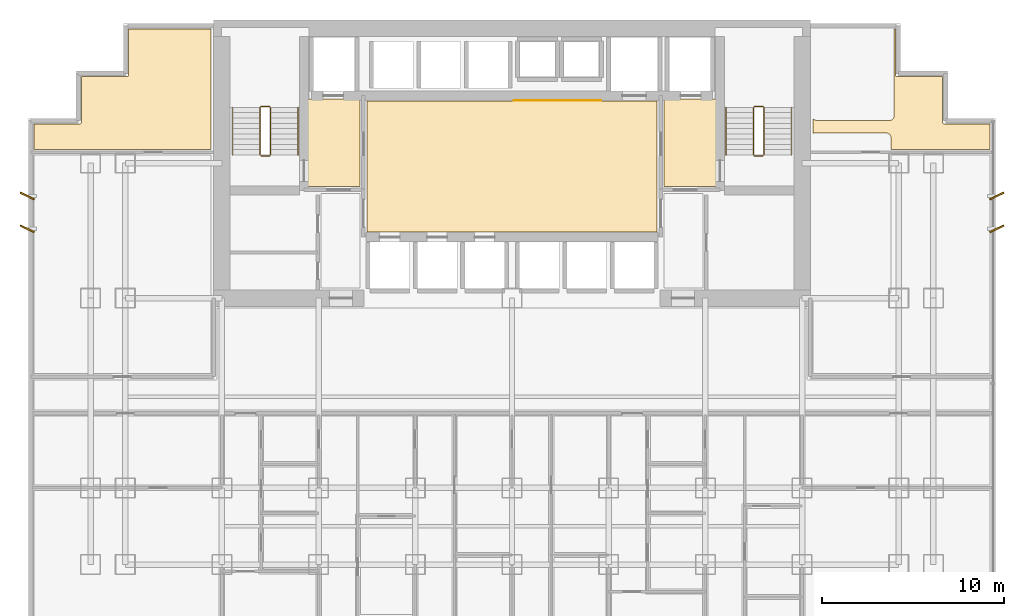
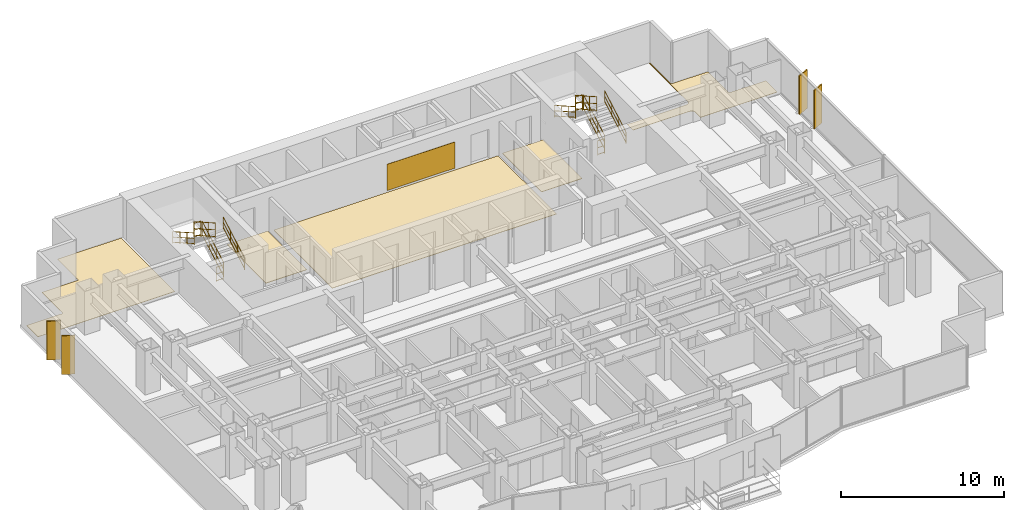
# One storey, part 12 of 12: 12 railings, 6 coverings, 4 shading devices.
"""IFC4 building model written with IfcOpenShell, lengths in metres."""

from ifc_helpers import new_model, si_unit, direction, frame, origin, origin_2d, place, context, subcontext, project, spatial, polyline, rectangle, circle, outline, extrude, source, transform, mapped, material, layer, layer_set, type_object, element, save


model = new_model("IFC4")

# Units and contexts
model_context = context("Model", 3, precision=1e-05, world=origin(), true_north=direction((0.0, 1.0)))
body_context = subcontext(model_context, "Body", "Model", "MODEL_VIEW")
ifc_project = project(units=[si_unit("LENGTHUNIT", "METRE"), si_unit("AREAUNIT", "SQUARE_METRE"), si_unit("VOLUMEUNIT", "CUBIC_METRE"), si_unit("PLANEANGLEUNIT", "RADIAN"), si_unit("MASSUNIT", "GRAM", prefix="KILO")], contexts=[model_context])

# Site, building, storey
site_placement = place(None, origin())
site = spatial("IfcSite", under=ifc_project, at=site_placement, CompositionType="ELEMENT")
building_placement = place(site_placement, origin())
building = spatial("IfcBuilding", under=site, at=building_placement, Name="Qianlan Lanfeng Residences", CompositionType="ELEMENT")
storey_placement = place(building_placement, frame((0.0, 0.0, 67.10009765625)))
storey = spatial("IfcBuildingStorey", under=building, at=storey_placement, Name="L18", CompositionType="ELEMENT", Elevation=67.10009765625)

# Coverings
ifc_material_1 = material(Name="Anodised Bronze Feature Wall Cladding")
ifc_layer_1 = layer(ifc_material_1, 0.02490234375)
ifc_layer_set_1 = layer_set([ifc_layer_1], Name="Anodised Bronze Feature Wall Cladding")
covering_type_1 = type_object("IfcCoveringType", Name="CLD-BRZ-25", PredefinedType="CLADDING", material=ifc_layer_set_1)
covering_1_placement = place(storey_placement, frame((0.0, 0.0, 0.14990234375)))
element("IfcCovering", 1, at=covering_1_placement, inside=storey, type_object=covering_type_1, Name="L18 Lift Lobby Bronze Feature Cladding", PredefinedType="CLADDING", context=body_context, shape_type="SweptSolid", body=[
    extrude(outline(polyline([(26.60009765625, 36.02490234375), (31.39990234375, 36.02490234375), (31.39990234375, 36.050048828125), (26.60009765625, 36.050048828125), (26.60009765625, 36.02490234375)])), origin(), (0.0, 0.0, 1.0), 1.969970703125),
])
ifc_material_2 = material(Name="Honed Taitung Granite Stone Flooring", Category="masonry")
ifc_layer_2 = layer(ifc_material_2, 0.030029296875)
ifc_layer_set_2 = layer_set([ifc_layer_2], Name="Honed Taitung Granite Stone Flooring")
covering_type_2 = type_object("IfcCoveringType", Name="FLR-STN-30", PredefinedType="FLOORING", material=ifc_layer_set_2)
covering_2_placement = place(storey_placement, origin())
element("IfcCovering", 2, at=covering_2_placement, inside=storey, type_object=covering_type_2, Name="L18 Firefighting Lift Lobby Floor Finish", PredefinedType="FLOORING", context=body_context, shape_type="SweptSolid", body=[
    extrude(outline(polyline([(15.2900390625, 31.320068359375), (18.179931640625, 31.320068359375), (18.179931640625, 36.110107421875), (15.2900390625, 36.110107421875), (15.2900390625, 31.320068359375)])), origin(), (0.0, 0.0, 1.0), 0.02978515625),
])
covering_3_placement = place(storey_placement, origin())
element("IfcCovering", 3, at=covering_3_placement, inside=storey, type_object=covering_type_2, Name="L18 Firefighting Lift Lobby Floor Finish", PredefinedType="FLOORING", context=body_context, shape_type="SweptSolid", body=[
    extrude(outline(polyline([(34.820068359375, 31.320068359375), (37.7099609375, 31.320068359375), (37.7099609375, 36.110107421875), (34.820068359375, 36.110107421875), (34.820068359375, 31.320068359375)])), origin(), (0.0, 0.0, 1.0), 0.02978515625),
])
covering_4_placement = place(storey_placement, origin())
element("IfcCovering", 4, at=covering_4_placement, inside=storey, type_object=covering_type_2, Name="L18 Lift Lobby Floor Finish", PredefinedType="FLOORING", context=body_context, shape_type="SweptSolid", body=[
    extrude(outline(polyline([(18.550048828125, 28.820068359375), (34.449951171875, 28.820068359375), (34.449951171875, 36.010009765625), (18.550048828125, 36.010009765625), (18.550048828125, 28.820068359375)])), origin(), (0.0, 0.0, 1.0), 0.02978515625),
])
ifc_material_3 = material(Name="Engineered Smoked Oak Timber Flooring", Category="wood")
ifc_layer_3 = layer(ifc_material_3, 0.02197265625)
ifc_layer_set_3 = layer_set([ifc_layer_3], Name="Engineered Smoked Oak Timber Flooring")
covering_type_3 = type_object("IfcCoveringType", Name="FLR-TIM-22", PredefinedType="FLOORING", material=ifc_layer_set_3)
covering_5_placement = place(storey_placement, origin())
element("IfcCovering", 5, at=covering_5_placement, inside=storey, type_object=covering_type_3, Name="L18 Resident Lounge Floor Finish", PredefinedType="FLOORING", context=body_context, shape_type="SweptSolid", body=[
    extrude(outline(polyline([(0.2900390625, 33.35009765625), (10.0, 33.35009765625), (10.0, 39.9599609375), (5.489990234375, 39.9599609375), (5.489990234375, 37.429931640625), (5.489990234375, 37.423095703125), (5.489013671875, 37.416015625), (5.487060546875, 37.409912109375), (5.485107421875, 37.403076171875), (5.48193359375, 37.39697265625), (5.47802734375, 37.39111328125), (5.47412109375, 37.385986328125), (5.468994140625, 37.381103515625), (5.464111328125, 37.3759765625), (5.458984375, 37.3720703125), (5.452880859375, 37.367919921875), (5.447021484375, 37.364990234375), (5.43994140625, 37.363037109375), (5.43408203125, 37.361083984375), (5.427001953125, 37.360107421875), (5.419921875, 37.360107421875), (2.889892578125, 37.360107421875), (2.889892578125, 34.830078125), (2.889892578125, 34.822998046875), (2.888916015625, 34.81591796875), (2.886962890625, 34.81005859375), (2.885009765625, 34.802978515625), (2.882080078125, 34.797119140625), (2.8779296875, 34.791015625), (2.8740234375, 34.785888671875), (2.868896484375, 34.781005859375), (2.864013671875, 34.77587890625), (2.85888671875, 34.77197265625), (2.85302734375, 34.76806640625), (2.846923828125, 34.764892578125), (2.840087890625, 34.762939453125), (2.833984375, 34.760986328125), (2.826904296875, 34.760009765625), (2.820068359375, 34.760009765625), (0.2900390625, 34.760009765625), (0.2900390625, 33.35009765625)])), origin(), (0.0, 0.0, 1.0), 0.02197265625),
])
covering_6_placement = place(storey_placement, origin())
element("IfcCovering", 6, at=covering_6_placement, inside=storey, type_object=covering_type_3, Name="L18 Resident Lounge Floor Finish", PredefinedType="FLOORING", context=body_context, shape_type="SweptSolid", body=[
    extrude(outline(polyline([(43.0, 34.237060546875), (43.007080078125, 34.239013671875), (43.031005859375, 34.2451171875), (43.054931640625, 34.2490234375), (43.080078125, 34.25), (47.02001953125, 34.25), (47.044921875, 34.2490234375), (47.069091796875, 34.2451171875), (47.093017578125, 34.239013671875), (47.115966796875, 34.23095703125), (47.137939453125, 34.219970703125), (47.158935546875, 34.2080078125), (47.178955078125, 34.193115234375), (47.197021484375, 34.177001953125), (47.212890625, 34.158935546875), (47.22802734375, 34.138916015625), (47.239990234375, 34.117919921875), (47.2509765625, 34.095947265625), (47.259033203125, 34.072998046875), (47.264892578125, 34.049072265625), (47.26904296875, 34.02490234375), (47.27001953125, 34.0), (47.27001953125, 33.35009765625), (52.7099609375, 33.35009765625), (52.7099609375, 34.760009765625), (50.179931640625, 34.760009765625), (50.173095703125, 34.760009765625), (50.166015625, 34.760986328125), (50.159912109375, 34.762939453125), (50.153076171875, 34.764892578125), (50.14697265625, 34.76806640625), (50.14111328125, 34.77197265625), (50.135986328125, 34.77587890625), (50.131103515625, 34.781005859375), (50.1259765625, 34.785888671875), (50.1220703125, 34.791015625), (50.117919921875, 34.797119140625), (50.114990234375, 34.802978515625), (50.113037109375, 34.81005859375), (50.111083984375, 34.81591796875), (50.110107421875, 34.822998046875), (50.110107421875, 34.830078125), (50.110107421875, 37.360107421875), (47.580078125, 37.360107421875), (47.572998046875, 37.360107421875), (47.56591796875, 37.361083984375), (47.56005859375, 37.363037109375), (47.552978515625, 37.364990234375), (47.547119140625, 37.367919921875), (47.541015625, 37.3720703125), (47.535888671875, 37.3759765625), (47.531005859375, 37.381103515625), (47.52587890625, 37.385986328125), (47.52197265625, 37.39111328125), (47.51806640625, 37.39697265625), (47.514892578125, 37.403076171875), (47.512939453125, 37.409912109375), (47.510986328125, 37.416015625), (47.510009765625, 37.423095703125), (47.510009765625, 37.429931640625), (47.510009765625, 39.9599609375), (47.449951171875, 39.9599609375), (47.449951171875, 35.199951171875), (47.448974609375, 35.175048828125), (47.445068359375, 35.15087890625), (47.43896484375, 35.126953125), (47.430908203125, 35.10400390625), (47.419921875, 35.08203125), (47.407958984375, 35.06103515625), (47.39306640625, 35.041015625), (47.376953125, 35.02294921875), (47.35888671875, 35.007080078125), (47.339111328125, 34.991943359375), (47.318115234375, 34.97998046875), (47.2958984375, 34.968994140625), (47.27294921875, 34.9609375), (47.2490234375, 34.955078125), (47.22509765625, 34.950927734375), (47.199951171875, 34.949951171875), (43.199951171875, 34.949951171875), (43.175048828125, 34.950927734375), (43.15087890625, 34.955078125), (43.126953125, 34.9609375), (43.10400390625, 34.968994140625), (43.08203125, 34.97998046875), (43.06103515625, 34.991943359375), (43.041015625, 35.007080078125), (43.02294921875, 35.02294921875), (43.007080078125, 35.041015625), (43.0, 35.050048828125), (43.0, 34.237060546875)])), origin(), (0.0, 0.0, 1.0), 0.02197265625),
])

# Railings
ifc_material_4 = material(Name="Painted Galvanised Steel Guardrail", Category="steel")
railing_type_1 = type_object("IfcRailingType", Name="GR-ST-1120", PredefinedType="GUARDRAIL", material=ifc_material_4)
railing_1_placement = place(storey_placement, frame((13.27001953125, 33.050048828125, 0.164794921875)))
element("IfcRailing", 7, at=railing_1_placement, inside=storey, type_object=railing_type_1, Name="L18 ST-1 stair guard 1", PredefinedType="GUARDRAIL", context=body_context, shape_type="SweptSolid", body=[
    extrude(circle(Radius=0.02392578125, at=origin_2d()), frame((0.0, 0.0, 0.083984375), z_axis=(0.0, 0.869137319866, 0.494570843475), x_axis=(-1.0, 0.0, 0.0)), (0.0, 0.0, 1.0), 3.0029296875),
    extrude(circle(Radius=0.02392578125, at=origin_2d()), frame((0.0, 0.0, 0.58251953125), z_axis=(0.0, 0.869137319866, 0.494570843475), x_axis=(-1.0, 0.0, 0.0)), (0.0, 0.0, 1.0), 3.0029296875),
    extrude(circle(Radius=0.02392578125, at=origin_2d()), frame((0.0, 0.0, 1.09619140625), z_axis=(0.0, 0.869137319866, 0.494570843475), x_axis=(-1.0, 0.0, 0.0)), (0.0, 0.0, 1.0), 3.0029296875),
    extrude(circle(Radius=0.02099609375, at=origin_2d()), origin(), (0.0, 0.0, 1.0), 1.072021484375),
    extrude(circle(Radius=0.02099609375, at=origin_2d()), frame((0.0, 0.869873046875, 0.4951171875)), (0.0, 0.0, 1.0), 1.072021484375),
    extrude(circle(Radius=0.02099609375, at=origin_2d()), frame((0.0, 1.739990234375, 0.989990234375)), (0.0, 0.0, 1.0), 1.072021484375),
    extrude(circle(Radius=0.02099609375, at=origin_2d()), frame((0.0, 2.60986328125, 1.485107421875)), (0.0, 0.0, 1.0), 1.072021484375),
])
railing_2_placement = place(storey_placement, frame((13.219970703125, 35.7099609375, 1.64990234375)))
element("IfcRailing", 8, at=railing_2_placement, inside=storey, type_object=railing_type_1, Name="L18 ST-1 stair guard 2", PredefinedType="GUARDRAIL", context=body_context, shape_type="SweptSolid", body=[
    extrude(circle(Radius=0.02392578125, at=origin_2d()), frame((0.0, 0.0, 0.083984375), z_axis=(-1.0, 0.0, 0.0), x_axis=(0.0, -1.0, 0.0)), (0.0, 0.0, 1.0), 0.47998046875),
    extrude(circle(Radius=0.02392578125, at=origin_2d()), frame((0.0, 0.0, 0.58251953125), z_axis=(-1.0, 0.0, 0.0), x_axis=(0.0, -1.0, 0.0)), (0.0, 0.0, 1.0), 0.47998046875),
    extrude(circle(Radius=0.02392578125, at=origin_2d()), frame((0.0, 0.0, 1.09619140625), z_axis=(-1.0, 0.0, 0.0), x_axis=(0.0, -1.0, 0.0)), (0.0, 0.0, 1.0), 0.47998046875),
    extrude(circle(Radius=0.02099609375, at=origin_2d()), origin(), (0.0, 0.0, 1.0), 1.072021484375),
    extrude(circle(Radius=0.02099609375, at=origin_2d()), frame((-0.47998046875, 0.0, 0.0)), (0.0, 0.0, 1.0), 1.072021484375),
])
railing_3_placement = place(storey_placement, frame((12.68994140625, 35.659912109375, 1.81494140625)))
element("IfcRailing", 9, at=railing_3_placement, inside=storey, type_object=railing_type_1, Name="L18 ST-1 stair guard 3", PredefinedType="GUARDRAIL", context=body_context, shape_type="SweptSolid", body=[
    extrude(circle(Radius=0.02392578125, at=origin_2d()), frame((0.0, 0.0, 0.083984375), z_axis=(0.0, -0.869172267526, 0.494509422927), x_axis=(1.0, 0.0, 0.0)), (0.0, 0.0, 1.0), 3.002685546875),
    extrude(circle(Radius=0.02392578125, at=origin_2d()), frame((0.0, 0.0, 0.58251953125), z_axis=(0.0, -0.869172267526, 0.494509422927), x_axis=(1.0, 0.0, 0.0)), (0.0, 0.0, 1.0), 3.002685546875),
    extrude(circle(Radius=0.02392578125, at=origin_2d()), frame((0.0, 0.0, 1.09619140625), z_axis=(0.0, -0.869172267526, 0.494509422927), x_axis=(1.0, 0.0, 0.0)), (0.0, 0.0, 1.0), 3.002685546875),
    extrude(circle(Radius=0.02099609375, at=origin_2d()), origin(), (0.0, 0.0, 1.0), 1.072021484375),
    extrude(circle(Radius=0.02099609375, at=origin_2d()), frame((0.0, -0.869873046875, 0.494873046875)), (0.0, 0.0, 1.0), 1.072021484375),
    extrude(circle(Radius=0.02099609375, at=origin_2d()), frame((0.0, -1.739990234375, 0.989990234375)), (0.0, 0.0, 1.0), 1.072021484375),
    extrude(circle(Radius=0.02099609375, at=origin_2d()), frame((0.0, -2.60986328125, 1.48486328125)), (0.0, 0.0, 1.0), 1.072021484375),
])
railing_4_placement = place(storey_placement, frame((13.219970703125, 33.0, 0.0)))
element("IfcRailing", 10, at=railing_4_placement, inside=storey, type_object=railing_type_1, Name="L18 ST-1 stair guard 4", PredefinedType="GUARDRAIL", context=body_context, shape_type="SweptSolid", body=[
    extrude(circle(Radius=0.02392578125, at=origin_2d()), frame((0.0, 0.0, 0.083984375), z_axis=(-1.0, 0.0, 0.0), x_axis=(0.0, -1.0, 0.0)), (0.0, 0.0, 1.0), 0.47998046875),
    extrude(circle(Radius=0.02392578125, at=origin_2d()), frame((0.0, 0.0, 0.58251953125), z_axis=(-1.0, 0.0, 0.0), x_axis=(0.0, -1.0, 0.0)), (0.0, 0.0, 1.0), 0.47998046875),
    extrude(circle(Radius=0.02392578125, at=origin_2d()), frame((0.0, 0.0, 1.09619140625), z_axis=(-1.0, 0.0, 0.0), x_axis=(0.0, -1.0, 0.0)), (0.0, 0.0, 1.0), 0.47998046875),
    extrude(circle(Radius=0.02099609375, at=origin_2d()), origin(), (0.0, 0.0, 1.0), 1.072021484375),
    extrude(circle(Radius=0.02099609375, at=origin_2d()), frame((-0.47998046875, 0.0, 0.0)), (0.0, 0.0, 1.0), 1.072021484375),
])
railing_5_placement = place(storey_placement, frame((40.31005859375, 33.050048828125, 0.164794921875)))
element("IfcRailing", 11, at=railing_5_placement, inside=storey, type_object=railing_type_1, Name="L18 ST-2 stair guard 1", PredefinedType="GUARDRAIL", context=body_context, shape_type="SweptSolid", body=[
    extrude(circle(Radius=0.02392578125, at=origin_2d()), frame((0.0, 0.0, 0.083984375), z_axis=(0.0, 0.869137319866, 0.494570843475), x_axis=(-1.0, 0.0, 0.0)), (0.0, 0.0, 1.0), 3.0029296875),
    extrude(circle(Radius=0.02392578125, at=origin_2d()), frame((0.0, 0.0, 0.58251953125), z_axis=(0.0, 0.869137319866, 0.494570843475), x_axis=(-1.0, 0.0, 0.0)), (0.0, 0.0, 1.0), 3.0029296875),
    extrude(circle(Radius=0.02392578125, at=origin_2d()), frame((0.0, 0.0, 1.09619140625), z_axis=(0.0, 0.869137319866, 0.494570843475), x_axis=(-1.0, 0.0, 0.0)), (0.0, 0.0, 1.0), 3.0029296875),
    extrude(circle(Radius=0.02099609375, at=origin_2d()), origin(), (0.0, 0.0, 1.0), 1.072021484375),
    extrude(circle(Radius=0.02099609375, at=origin_2d()), frame((0.0, 0.869873046875, 0.4951171875)), (0.0, 0.0, 1.0), 1.072021484375),
    extrude(circle(Radius=0.02099609375, at=origin_2d()), frame((0.0, 1.739990234375, 0.989990234375)), (0.0, 0.0, 1.0), 1.072021484375),
    extrude(circle(Radius=0.02099609375, at=origin_2d()), frame((0.0, 2.60986328125, 1.485107421875)), (0.0, 0.0, 1.0), 1.072021484375),
])
railing_6_placement = place(storey_placement, frame((40.260009765625, 35.7099609375, 1.64990234375)))
element("IfcRailing", 12, at=railing_6_placement, inside=storey, type_object=railing_type_1, Name="L18 ST-2 stair guard 2", PredefinedType="GUARDRAIL", context=body_context, shape_type="SweptSolid", body=[
    extrude(circle(Radius=0.02392578125, at=origin_2d()), frame((0.0, 0.0, 0.083984375), z_axis=(-1.0, 0.0, 0.0), x_axis=(0.0, -1.0, 0.0)), (0.0, 0.0, 1.0), 0.47998046875),
    extrude(circle(Radius=0.02392578125, at=origin_2d()), frame((0.0, 0.0, 0.58251953125), z_axis=(-1.0, 0.0, 0.0), x_axis=(0.0, -1.0, 0.0)), (0.0, 0.0, 1.0), 0.47998046875),
    extrude(circle(Radius=0.02392578125, at=origin_2d()), frame((0.0, 0.0, 1.09619140625), z_axis=(-1.0, 0.0, 0.0), x_axis=(0.0, -1.0, 0.0)), (0.0, 0.0, 1.0), 0.47998046875),
    extrude(circle(Radius=0.02099609375, at=origin_2d()), origin(), (0.0, 0.0, 1.0), 1.072021484375),
    extrude(circle(Radius=0.02099609375, at=origin_2d()), frame((-0.47998046875, 0.0, 0.0)), (0.0, 0.0, 1.0), 1.072021484375),
])
railing_7_placement = place(storey_placement, frame((39.72998046875, 35.659912109375, 1.81494140625)))
element("IfcRailing", 13, at=railing_7_placement, inside=storey, type_object=railing_type_1, Name="L18 ST-2 stair guard 3", PredefinedType="GUARDRAIL", context=body_context, shape_type="SweptSolid", body=[
    extrude(circle(Radius=0.02392578125, at=origin_2d()), frame((0.0, 0.0, 0.083984375), z_axis=(0.0, -0.869172267526, 0.494509422927), x_axis=(1.0, 0.0, 0.0)), (0.0, 0.0, 1.0), 3.002685546875),
    extrude(circle(Radius=0.02392578125, at=origin_2d()), frame((0.0, 0.0, 0.58251953125), z_axis=(0.0, -0.869172267526, 0.494509422927), x_axis=(1.0, 0.0, 0.0)), (0.0, 0.0, 1.0), 3.002685546875),
    extrude(circle(Radius=0.02392578125, at=origin_2d()), frame((0.0, 0.0, 1.09619140625), z_axis=(0.0, -0.869172267526, 0.494509422927), x_axis=(1.0, 0.0, 0.0)), (0.0, 0.0, 1.0), 3.002685546875),
    extrude(circle(Radius=0.02099609375, at=origin_2d()), origin(), (0.0, 0.0, 1.0), 1.072021484375),
    extrude(circle(Radius=0.02099609375, at=origin_2d()), frame((0.0, -0.869873046875, 0.494873046875)), (0.0, 0.0, 1.0), 1.072021484375),
    extrude(circle(Radius=0.02099609375, at=origin_2d()), frame((0.0, -1.739990234375, 0.989990234375)), (0.0, 0.0, 1.0), 1.072021484375),
    extrude(circle(Radius=0.02099609375, at=origin_2d()), frame((0.0, -2.60986328125, 1.48486328125)), (0.0, 0.0, 1.0), 1.072021484375),
])
railing_8_placement = place(storey_placement, frame((40.260009765625, 33.0, 0.0)))
element("IfcRailing", 14, at=railing_8_placement, inside=storey, type_object=railing_type_1, Name="L18 ST-2 stair guard 4", PredefinedType="GUARDRAIL", context=body_context, shape_type="SweptSolid", body=[
    extrude(circle(Radius=0.02392578125, at=origin_2d()), frame((0.0, 0.0, 0.083984375), z_axis=(-1.0, 0.0, 0.0), x_axis=(0.0, -1.0, 0.0)), (0.0, 0.0, 1.0), 0.47998046875),
    extrude(circle(Radius=0.02392578125, at=origin_2d()), frame((0.0, 0.0, 0.58251953125), z_axis=(-1.0, 0.0, 0.0), x_axis=(0.0, -1.0, 0.0)), (0.0, 0.0, 1.0), 0.47998046875),
    extrude(circle(Radius=0.02392578125, at=origin_2d()), frame((0.0, 0.0, 1.09619140625), z_axis=(-1.0, 0.0, 0.0), x_axis=(0.0, -1.0, 0.0)), (0.0, 0.0, 1.0), 0.47998046875),
    extrude(circle(Radius=0.02099609375, at=origin_2d()), origin(), (0.0, 0.0, 1.0), 1.072021484375),
    extrude(circle(Radius=0.02099609375, at=origin_2d()), frame((-0.47998046875, 0.0, 0.0)), (0.0, 0.0, 1.0), 1.072021484375),
])
ifc_material_5 = material(Name="Brushed Stainless Steel Handrail", Category="steel")
railing_type_2 = type_object("IfcRailingType", Name="HR-ST-920", PredefinedType="HANDRAIL", material=ifc_material_5)
railing_9_placement = place(storey_placement, frame((14.77001953125, 33.050048828125, 0.164794921875)))
element("IfcRailing", 15, at=railing_9_placement, inside=storey, type_object=railing_type_2, Name="L18 ST-1 stair handrail 1", PredefinedType="HANDRAIL", context=body_context, shape_type="SweptSolid", body=[
    extrude(circle(Radius=0.02392578125, at=origin_2d()), frame((0.0, 0.0, 0.083984375), z_axis=(0.0, 0.869137319866, 0.494570843475), x_axis=(-1.0, 0.0, 0.0)), (0.0, 0.0, 1.0), 3.0029296875),
    extrude(circle(Radius=0.02392578125, at=origin_2d()), frame((0.0, 0.0, 0.468017578125), z_axis=(0.0, 0.869137319866, 0.494570843475), x_axis=(-1.0, 0.0, 0.0)), (0.0, 0.0, 1.0), 3.0029296875),
    extrude(circle(Radius=0.02392578125, at=origin_2d()), frame((0.0, 0.0, 0.8759765625), z_axis=(0.0, 0.869137319866, 0.494570843475), x_axis=(-1.0, 0.0, 0.0)), (0.0, 0.0, 1.0), 3.0029296875),
    extrude(circle(Radius=0.02099609375, at=origin_2d()), origin(), (0.0, 0.0, 1.0), 0.851806640625),
    extrude(circle(Radius=0.02099609375, at=origin_2d()), frame((0.0, 0.869873046875, 0.4951171875)), (0.0, 0.0, 1.0), 0.851806640625),
    extrude(circle(Radius=0.02099609375, at=origin_2d()), frame((0.0, 1.739990234375, 0.989990234375)), (0.0, 0.0, 1.0), 0.851806640625),
    extrude(circle(Radius=0.02099609375, at=origin_2d()), frame((0.0, 2.60986328125, 1.485107421875)), (0.0, 0.0, 1.0), 0.851806640625),
])
railing_10_placement = place(storey_placement, frame((11.18994140625, 35.659912109375, 1.81494140625)))
element("IfcRailing", 16, at=railing_10_placement, inside=storey, type_object=railing_type_2, Name="L18 ST-1 stair handrail 2", PredefinedType="HANDRAIL", context=body_context, shape_type="SweptSolid", body=[
    extrude(circle(Radius=0.02392578125, at=origin_2d()), frame((0.0, 0.0, 0.083984375), z_axis=(0.0, -0.869172267526, 0.494509422927), x_axis=(1.0, 0.0, 0.0)), (0.0, 0.0, 1.0), 3.002685546875),
    extrude(circle(Radius=0.02392578125, at=origin_2d()), frame((0.0, 0.0, 0.468017578125), z_axis=(0.0, -0.869172267526, 0.494509422927), x_axis=(1.0, 0.0, 0.0)), (0.0, 0.0, 1.0), 3.002685546875),
    extrude(circle(Radius=0.02392578125, at=origin_2d()), frame((0.0, 0.0, 0.8759765625), z_axis=(0.0, -0.869172267526, 0.494509422927), x_axis=(1.0, 0.0, 0.0)), (0.0, 0.0, 1.0), 3.002685546875),
    extrude(circle(Radius=0.02099609375, at=origin_2d()), origin(), (0.0, 0.0, 1.0), 0.851806640625),
    extrude(circle(Radius=0.02099609375, at=origin_2d()), frame((0.0, -0.869873046875, 0.494873046875)), (0.0, 0.0, 1.0), 0.851806640625),
    extrude(circle(Radius=0.02099609375, at=origin_2d()), frame((0.0, -1.739990234375, 0.989990234375)), (0.0, 0.0, 1.0), 0.851806640625),
    extrude(circle(Radius=0.02099609375, at=origin_2d()), frame((0.0, -2.60986328125, 1.48486328125)), (0.0, 0.0, 1.0), 0.851806640625),
])
railing_11_placement = place(storey_placement, frame((41.81005859375, 33.050048828125, 0.164794921875)))
element("IfcRailing", 17, at=railing_11_placement, inside=storey, type_object=railing_type_2, Name="L18 ST-2 stair handrail 1", PredefinedType="HANDRAIL", context=body_context, shape_type="SweptSolid", body=[
    extrude(circle(Radius=0.02392578125, at=origin_2d()), frame((0.0, 0.0, 0.083984375), z_axis=(0.0, 0.869137319866, 0.494570843475), x_axis=(-1.0, 0.0, 0.0)), (0.0, 0.0, 1.0), 3.0029296875),
    extrude(circle(Radius=0.02392578125, at=origin_2d()), frame((0.0, 0.0, 0.468017578125), z_axis=(0.0, 0.869137319866, 0.494570843475), x_axis=(-1.0, 0.0, 0.0)), (0.0, 0.0, 1.0), 3.0029296875),
    extrude(circle(Radius=0.02392578125, at=origin_2d()), frame((0.0, 0.0, 0.8759765625), z_axis=(0.0, 0.869137319866, 0.494570843475), x_axis=(-1.0, 0.0, 0.0)), (0.0, 0.0, 1.0), 3.0029296875),
    extrude(circle(Radius=0.02099609375, at=origin_2d()), origin(), (0.0, 0.0, 1.0), 0.851806640625),
    extrude(circle(Radius=0.02099609375, at=origin_2d()), frame((0.0, 0.869873046875, 0.4951171875)), (0.0, 0.0, 1.0), 0.851806640625),
    extrude(circle(Radius=0.02099609375, at=origin_2d()), frame((0.0, 1.739990234375, 0.989990234375)), (0.0, 0.0, 1.0), 0.851806640625),
    extrude(circle(Radius=0.02099609375, at=origin_2d()), frame((0.0, 2.60986328125, 1.485107421875)), (0.0, 0.0, 1.0), 0.851806640625),
])
railing_12_placement = place(storey_placement, frame((38.22998046875, 35.659912109375, 1.81494140625)))
element("IfcRailing", 18, at=railing_12_placement, inside=storey, type_object=railing_type_2, Name="L18 ST-2 stair handrail 2", PredefinedType="HANDRAIL", context=body_context, shape_type="SweptSolid", body=[
    extrude(circle(Radius=0.02392578125, at=origin_2d()), frame((0.0, 0.0, 0.083984375), z_axis=(0.0, -0.869172267526, 0.494509422927), x_axis=(1.0, 0.0, 0.0)), (0.0, 0.0, 1.0), 3.002685546875),
    extrude(circle(Radius=0.02392578125, at=origin_2d()), frame((0.0, 0.0, 0.468017578125), z_axis=(0.0, -0.869172267526, 0.494509422927), x_axis=(1.0, 0.0, 0.0)), (0.0, 0.0, 1.0), 3.002685546875),
    extrude(circle(Radius=0.02392578125, at=origin_2d()), frame((0.0, 0.0, 0.8759765625), z_axis=(0.0, -0.869172267526, 0.494509422927), x_axis=(1.0, 0.0, 0.0)), (0.0, 0.0, 1.0), 3.002685546875),
    extrude(circle(Radius=0.02099609375, at=origin_2d()), origin(), (0.0, 0.0, 1.0), 0.851806640625),
    extrude(circle(Radius=0.02099609375, at=origin_2d()), frame((0.0, -0.869873046875, 0.494873046875)), (0.0, 0.0, 1.0), 0.851806640625),
    extrude(circle(Radius=0.02099609375, at=origin_2d()), frame((0.0, -1.739990234375, 0.989990234375)), (0.0, 0.0, 1.0), 0.851806640625),
    extrude(circle(Radius=0.02099609375, at=origin_2d()), frame((0.0, -2.60986328125, 1.48486328125)), (0.0, 0.0, 1.0), 0.851806640625),
])

# Shading devices
ifc_material_6 = material(Name="Anodised Bronze Aluminium Solar Fin", Category="aluminium")
shading_device_type = type_object("IfcShadingDeviceType", Name="FIN-BRZ-850", PredefinedType="SHUTTER", material=ifc_material_6)
shared_shape = source(origin(), body_context, "Body", "SweptSolid", [
    extrude(rectangle(XDim=0.85009765625, YDim=0.080078125, at=origin_2d()), origin(), (0.0, 0.0, 1.0), 2.89990234375),
])
for number, where, z_axis, x_axis, name in (
    (19, (-0.070068359375, 29.0, 0.0), (0.0, 0.0, 1.0), (0.898794046299, -0.438371146789, 0.0), "L18 Raked Bronze Solar Fin W1"),
    (20, (-0.070068359375, 30.800048828125, 0.0), (0.0, 0.0, 1.0), (0.898794046299, -0.438371146789, 0.0), "L18 Raked Bronze Solar Fin W2"),
    (21, (53.070068359375, 29.0, 0.0), (0.0, 0.0, 1.0), (0.898794046299, 0.438371146789, 0.0), "L18 Raked Bronze Solar Fin E1"),
    (22, (53.070068359375, 30.800048828125, 0.0), (0.0, 0.0, 1.0), (0.898794046299, 0.438371146789, 0.0), "L18 Raked Bronze Solar Fin E2"),
):
    element("IfcShadingDevice", number, at=place(storey_placement, frame(where, z_axis=z_axis, x_axis=x_axis)), inside=storey, type_object=shading_device_type, Name=name, PredefinedType="SHUTTER", context=body_context, shape_type="MappedRepresentation", body=[
        mapped(shared_shape, transform((0.0, 0.0, 0.0), scale=1.0)),
    ])

save(model, "model.ifc")
